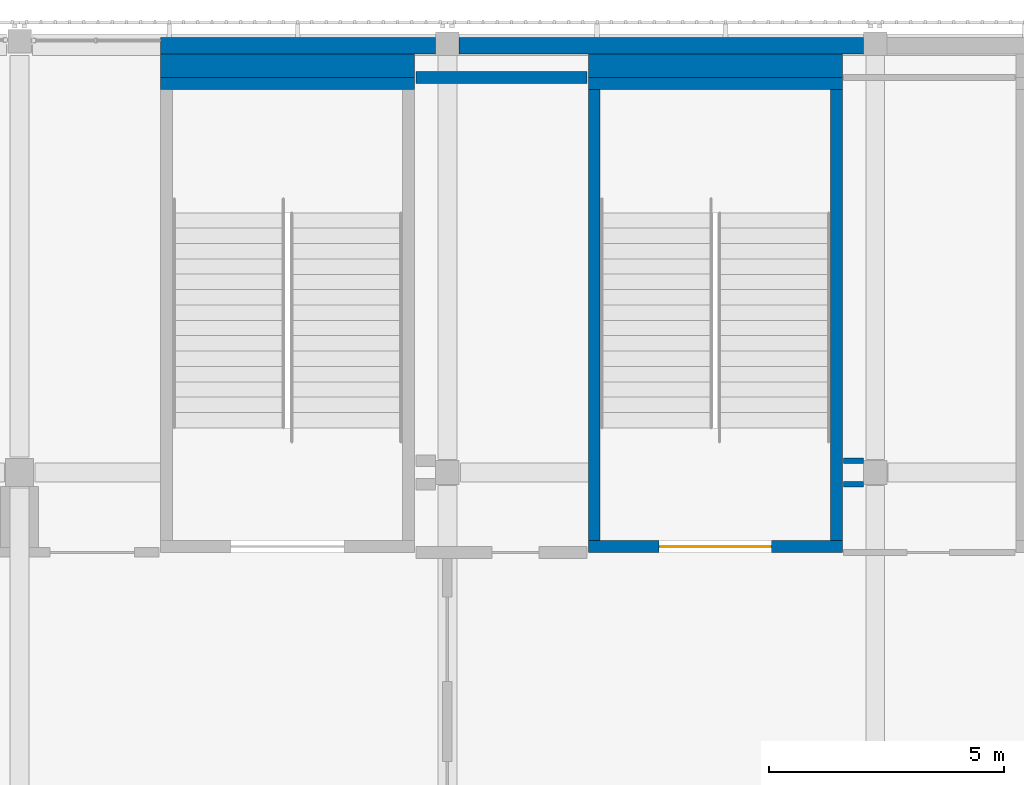
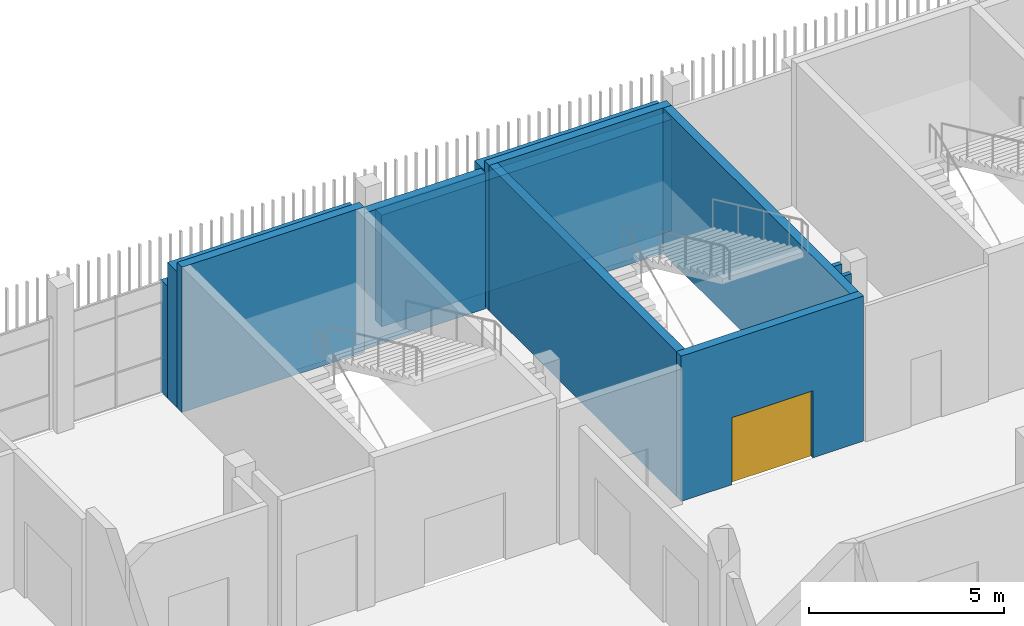
# One storey, part 79 of 124: 12 walls, 1 door, 1 opening.
"""IFC4 building model written with IfcOpenShell, lengths in metres."""

from ifc_helpers import new_model, si_unit, direction, frame, frame_2d, origin, place, context, subcontext, project, spatial, rectangle, extrude, material, layer, layer_set, type_object, element, fill, save


model = new_model("IFC4")

# Units and contexts
model_context = context("Model", 3, precision=1e-05, world=origin(), true_north=direction((0.0, 1.0)))
body_context = subcontext(model_context, "Body", "Model", "MODEL_VIEW")
ifc_project = project(units=[si_unit("LENGTHUNIT", "METRE"), si_unit("AREAUNIT", "SQUARE_METRE"), si_unit("VOLUMEUNIT", "CUBIC_METRE"), si_unit("PLANEANGLEUNIT", "RADIAN"), si_unit("MASSUNIT", "GRAM", prefix="KILO")], contexts=[model_context])

# Site, building, storey
site_placement = place(None, origin())
site = spatial("IfcSite", under=ifc_project, at=site_placement, CompositionType="ELEMENT")
building_placement = place(site_placement, origin())
building = spatial("IfcBuilding", under=site, at=building_placement, Name="Shirokan Park Arena", CompositionType="ELEMENT")
storey_placement = place(building_placement, frame((0.0, 0.0, 20.02001953125)))
storey = spatial("IfcBuildingStorey", under=building, at=storey_placement, Name="L04", CompositionType="ELEMENT", Elevation=20.02001953125)

# Walls
ifc_material_1 = material(Name="Plaster")
ifc_layer_1 = layer(ifc_material_1, 0.014892578125, Name="Plaster")
ifc_material_2 = material(Name="Concrete blockwork", Category="masonry")
ifc_layer_2 = layer(ifc_material_2, 0.219970703125, Name="Concrete blockwork 220")
ifc_layer_3 = layer(ifc_material_1, 0.014892578125, Name="Plaster")
ifc_layer_set_1 = layer_set([ifc_layer_1, ifc_layer_2, ifc_layer_3], Name="Plaster + Concrete blockwork 220")
wall_type_1 = type_object("IfcWallType", Name="Compartment wall 250", PredefinedType="SOLIDWALL", material=ifc_layer_set_1)
wall_1_placement = place(storey_placement, frame((117.6298828125, 108.5, 0.0), z_axis=(0.0, 0.0, 1.0), x_axis=(1.0, 0.0, 0.0)))
element("IfcWall", 1, at=wall_1_placement, inside=storey, type_object=wall_type_1, Name="Compartment wall 250 L04", PredefinedType="SOLIDWALL", context=body_context, shape_type="SweptSolid", body=[
    extrude(rectangle(XDim=3.64013671875, YDim=0.25, at=frame_2d((1.820068359375, 0.0))), origin(), (0.0, 0.0, 1.0), 4.25),
])
ifc_material_3 = material(Name="Cedar cladding")
ifc_layer_4 = layer(ifc_material_3, 0.030029296875, Name="Cedar cladding")
ifc_material_4 = material(Name="Mineral wool insulation")
ifc_layer_5 = layer(ifc_material_4, 0.10009765625, Name="Mineral wool insulation")
ifc_material_5 = material(Name="Concrete C35", Category="concrete")
ifc_layer_6 = layer(ifc_material_5, 0.199951171875, Name="Concrete C35")
ifc_material_6 = material(Name="Gypsum board lining")
ifc_layer_7 = layer(ifc_material_6, 0.02001953125, Name="Gypsum board lining")
ifc_layer_set_2 = layer_set([ifc_layer_4, ifc_layer_5, ifc_layer_6, ifc_layer_7], Name="Cedar cladding + Mineral wool insulation + Concrete C35 + Gypsum board lining")
wall_type_2 = type_object("IfcWallType", Name="Insulated tower wall 350", PredefinedType="SOLIDWALL", material=ifc_layer_set_2)
wall_2_placement = place(storey_placement, frame((127.14990234375, 109.175048828125, 0.0), z_axis=(0.0, 0.0, 1.0), x_axis=(-1.0, 0.0, 0.0)))
element("IfcWall", 2, at=wall_2_placement, inside=storey, type_object=wall_type_2, Name="North facade wall bay 3 L04", PredefinedType="SOLIDWALL", context=body_context, shape_type="SweptSolid", body=[
    extrude(rectangle(XDim=8.599853515625, YDim=0.35009765625, at=frame_2d((4.2998046875, 0.0))), origin(), (0.0, 0.0, 1.0), 3.5),
])
wall_3_placement = place(storey_placement, frame((118.050048828125, 109.175048828125, 0.0), z_axis=(0.0, 0.0, 1.0), x_axis=(-1.0, 0.0, 0.0)))
element("IfcWall", 3, at=wall_3_placement, inside=storey, type_object=wall_type_2, Name="North facade wall bay 4 L04", PredefinedType="SOLIDWALL", context=body_context, shape_type="SweptSolid", body=[
    extrude(rectangle(XDim=5.85009765625, YDim=0.35009765625, at=frame_2d((2.925048828125, 0.0))), origin(), (0.0, 0.0, 1.0), 3.5),
])

# Wall, opening, door
ifc_material_7 = material(Name="Concrete C40/50", Category="concrete")
ifc_layer_8 = layer(ifc_material_7, 0.25)
ifc_layer_set_3 = layer_set([ifc_layer_8], Name="Concrete C40/50 250 mm")
wall_type_3 = type_object("IfcWallType", Name="RC shear wall 250", PredefinedType="SHEAR", material=ifc_layer_set_3)
wall_4_placement = place(storey_placement, frame((126.699951171875, 98.52490234375, 0.0), z_axis=(0.0, 0.0, 1.0), x_axis=(-1.0, 0.0, 0.0)))
wall_4 = element("IfcWall", 4, at=wall_4_placement, inside=storey, type_object=wall_type_3, Name="Shaft wall Exit Stair 3.C S L04", PredefinedType="SHEAR", context=body_context, shape_type="SweptSolid", body=[
    extrude(rectangle(XDim=5.39990234375, YDim=0.25, at=frame_2d((2.699951171875, 0.0))), origin(), (0.0, 0.0, 1.0), 4.550048828125),
])
opening_placement = place(wall_4_placement, frame((1.5, 0.0, 0.0)))
opening = element("IfcOpeningElement", 5, at=opening_placement, cuts=wall_4, Name="Opening D-4144", PredefinedType="OPENING", context=body_context, shape_type="SweptSolid", body=[
    extrude(rectangle(XDim=2.39990234375, YDim=2.10009765625, at=frame_2d((1.199951171875, 1.050048828125))), frame((0.0, 0.135009765625, 0.0), z_axis=(0.0, -1.0, 0.0), x_axis=(1.0, 0.0, 0.0)), (0.0, 0.0, 1.0), 0.27001953125),
])
ifc_material_8 = material(Name="Steel door set, fire resisting", Category="steel")
door_type = type_object("IfcDoorType", Name="Stair door 2400 x 2100", OperationType="DOUBLE_DOOR_SINGLE_SWING", PredefinedType="DOOR", material=ifc_material_8)
door_placement = place(opening_placement, origin())
door = element("IfcDoor", 6, at=door_placement, inside=storey, type_object=door_type, Name="Stair door Exit Stair 3.C D-4144", OperationType="DOUBLE_DOOR_SINGLE_SWING", OverallHeight=2.10009765625, OverallWidth=2.39990234375, PredefinedType="DOOR", context=body_context, shape_type="SweptSolid", body=[
    extrude(rectangle(XDim=2.39990234375, YDim=2.10009765625, at=frame_2d((1.199951171875, 1.050048828125))), frame((0.0, 0.02490234375, 0.0), z_axis=(0.0, -1.0, 0.0), x_axis=(1.0, 0.0, 0.0)), (0.0, 0.0, 1.0), 0.050048828125),
])
fill(opening, door)

# Walls
wall_5_placement = place(storey_placement, frame((126.699951171875, 108.375, 0.0), z_axis=(0.0, 0.0, 1.0), x_axis=(-1.0, 0.0, 0.0)))
element("IfcWall", 7, at=wall_5_placement, inside=storey, type_object=wall_type_3, Name="Shaft wall Exit Stair 3.C N L04", PredefinedType="SHEAR", context=body_context, shape_type="SweptSolid", body=[
    extrude(rectangle(XDim=5.39990234375, YDim=0.25, at=frame_2d((2.699951171875, 0.0))), origin(), (0.0, 0.0, 1.0), 4.550048828125),
])
for number, where, z_axis, x_axis, name in (
    (8, (121.425048828125, 108.25, 0.0), (0.0, 0.0, 1.0), (0.0, -1.0, 0.0), "Shaft wall Exit Stair 3.C W L04"),
    (9, (126.574951171875, 108.25, 0.0), (0.0, 0.0, 1.0), (0.0, -1.0, 0.0), "Shaft wall Exit Stair 3.C E L04"),
):
    element("IfcWall", number, at=place(storey_placement, frame(where, z_axis=z_axis, x_axis=x_axis)), inside=storey, type_object=wall_type_3, Name=name, PredefinedType="SHEAR", context=body_context, shape_type="SweptSolid", body=[
        extrude(rectangle(XDim=9.60009765625, YDim=0.25, at=frame_2d((4.800048828125, 0.0))), origin(), (0.0, 0.0, 1.0), 4.550048828125),
    ])
wall_6_placement = place(storey_placement, frame((117.60009765625, 108.375, 0.0), z_axis=(0.0, 0.0, 1.0), x_axis=(-1.0, 0.0, 0.0)))
element("IfcWall", 10, at=wall_6_placement, inside=storey, type_object=wall_type_3, Name="Shaft wall Exit Stair 3.D N L04", PredefinedType="SHEAR", context=body_context, shape_type="SweptSolid", body=[
    extrude(rectangle(XDim=5.400146484375, YDim=0.25, at=frame_2d((2.7001953125, 0.0))), origin(), (0.0, 0.0, 1.0), 4.550048828125),
])
ifc_layer_9 = layer(ifc_material_5, 0.5)
ifc_layer_set_4 = layer_set([ifc_layer_9], Name="Concrete C35 500 mm")
wall_type_4 = type_object("IfcWallType", Name="Shaft infill wall 500", PredefinedType="SOLIDWALL", material=ifc_layer_set_4)
wall_7_placement = place(storey_placement, frame((121.300048828125, 108.75, 0.0), z_axis=(0.0, 0.0, 1.0), x_axis=(1.0, 0.0, 0.0)))
element("IfcWall", 11, at=wall_7_placement, inside=storey, type_object=wall_type_4, Name="Shaft infill wall L04", PredefinedType="SOLIDWALL", context=body_context, shape_type="SweptSolid", body=[
    extrude(rectangle(XDim=5.39990234375, YDim=0.5, at=frame_2d((2.699951171875, 0.0))), origin(), (0.0, 0.0, 1.0), 4.25),
])
wall_8_placement = place(storey_placement, frame((112.199951171875, 108.75, 0.0), z_axis=(0.0, 0.0, 1.0), x_axis=(1.0, 0.0, 0.0)))
element("IfcWall", 12, at=wall_8_placement, inside=storey, type_object=wall_type_4, Name="Shaft infill wall L04", PredefinedType="SOLIDWALL", context=body_context, shape_type="SweptSolid", body=[
    extrude(rectangle(XDim=5.400146484375, YDim=0.5, at=frame_2d((2.7001953125, 0.0))), origin(), (0.0, 0.0, 1.0), 4.25),
])
ifc_material_9 = material(Name="Ceramic tile")
ifc_layer_10 = layer(ifc_material_9, 0.010009765625, Name="Ceramic tile")
ifc_material_10 = material(Name="Cement board")
ifc_layer_11 = layer(ifc_material_10, 0.012451171875, Name="Cement board")
ifc_layer_12 = layer(ifc_material_4, 0.080078125, Name="Mineral wool insulation")
ifc_layer_13 = layer(ifc_material_10, 0.012451171875, Name="Cement board")
ifc_layer_14 = layer(ifc_material_9, 0.010009765625, Name="Ceramic tile")
ifc_layer_set_5 = layer_set([ifc_layer_10, ifc_layer_11, ifc_layer_12, ifc_layer_13, ifc_layer_14], Name="Ceramic tile + Cement board + Mineral wool insulation")
wall_type_5 = type_object("IfcWallType", Name="Wet-area wall 125", PredefinedType="PARTITIONING", material=ifc_layer_set_5)
for number, where, z_axis, x_axis, name in (
    (13, (126.72998046875, 99.85009765625, 0.0), (0.0, 0.0, 1.0), (1.0, 0.0, 0.0), "Wet-area wall 125 L04"),
    (14, (127.14990234375, 100.35009765625, 0.0), (0.0, 0.0, 1.0), (-1.0, 0.0, 0.0), "Wet-area wall 125 L04"),
):
    element("IfcWall", number, at=place(storey_placement, frame(where, z_axis=z_axis, x_axis=x_axis)), inside=storey, type_object=wall_type_5, Name=name, PredefinedType="PARTITIONING", context=body_context, shape_type="SweptSolid", body=[
        extrude(rectangle(XDim=0.419921875, YDim=0.125, at=frame_2d((0.2099609375, 0.0))), origin(), (0.0, 0.0, 1.0), 4.25),
    ])

save(model, "model.ifc")
